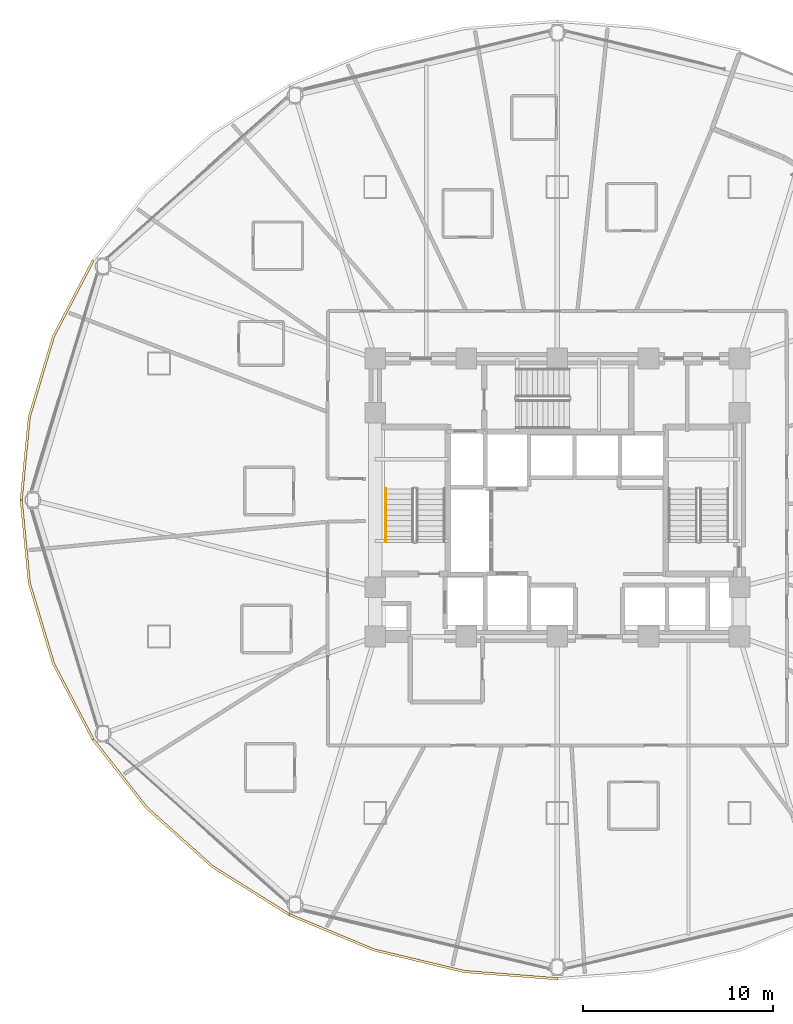
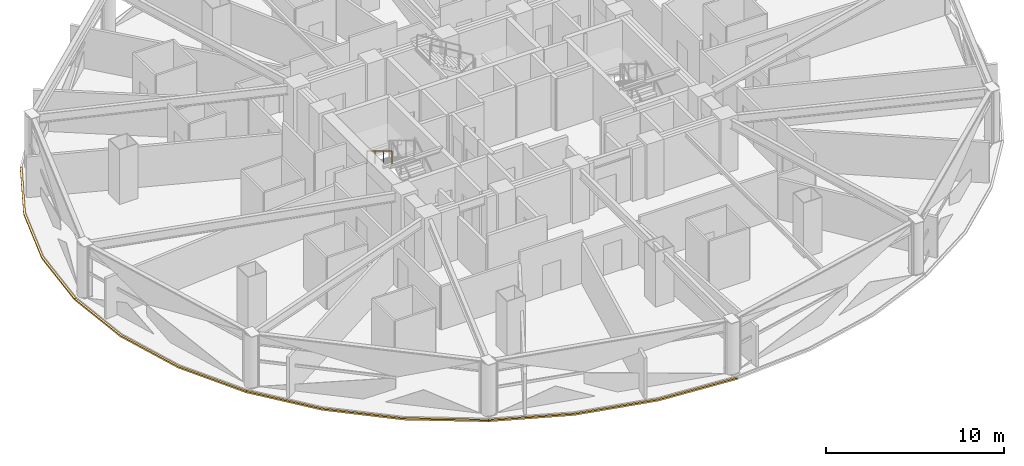
# One storey, part 29 of 33: 4 coverings, 1 railing.
"""IFC4 building model written with IfcOpenShell, lengths in metres."""

from ifc_helpers import new_model, si_unit, direction, frame, origin, origin_2d, place, context, subcontext, project, spatial, polyline, rectangle, outline, extrude, material, layer, layer_set, type_object, element, save


model = new_model("IFC4")

# Units and contexts
model_context = context("Model", 3, precision=1e-05, world=origin(), true_north=direction((0.0, 1.0)))
body_context = subcontext(model_context, "Body", "Model", "MODEL_VIEW")
ifc_project = project(units=[si_unit("LENGTHUNIT", "METRE"), si_unit("AREAUNIT", "SQUARE_METRE"), si_unit("VOLUMEUNIT", "CUBIC_METRE"), si_unit("PLANEANGLEUNIT", "RADIAN"), si_unit("MASSUNIT", "GRAM", prefix="KILO")], contexts=[model_context])

# Site, building, storey
site_placement = place(None, origin())
site = spatial("IfcSite", under=ifc_project, at=site_placement, CompositionType="ELEMENT")
building_placement = place(site_placement, origin())
building = spatial("IfcBuilding", under=site, at=building_placement, Name="Vantalir Tower", CompositionType="ELEMENT")
storey_placement = place(building_placement, frame((0.0, 0.0, 68.25)))
storey = spatial("IfcBuildingStorey", under=building, at=storey_placement, Name="L16", CompositionType="ELEMENT", Elevation=68.25)

# Coverings
ifc_material_1 = material(Name="Anodised champagne aluminium sill fascia", Category="aluminium")
ifc_layer = layer(ifc_material_1, 0.125)
ifc_layer_set = layer_set([ifc_layer], Name="Anodised champagne aluminium sill fascia")
covering_type = type_object("IfcCoveringType", Name="COV-SLAB-FASCIA-125", PredefinedType="CLADDING", material=ifc_layer_set)
covering_1_placement = place(storey_placement, frame((0.0, 0.0, -0.179931640625)))
element("IfcCovering", 1, at=covering_1_placement, inside=storey, type_object=covering_type, Name="L16 Perimeter Slab-Edge Sill Fascia 06", PredefinedType="CLADDING", context=body_context, shape_type="SweptSolid", body=[
    extrude(outline(polyline([(6.969970703125, 37.652099609375), (4.883056640625, 33.654052734375), (3.60498046875, 29.39404296875), (3.175048828125, 25.0), (3.300048828125, 25.0), (3.72802734375, 29.3720703125), (5.0009765625, 33.612060546875), (7.077880859375, 37.589111328125), (6.969970703125, 37.652099609375)])), origin(), (0.0, 0.0, 1.0), 0.10498046875),
])
covering_2_placement = place(storey_placement, frame((0.0, 0.0, -0.179931640625)))
element("IfcCovering", 2, at=covering_2_placement, inside=storey, type_object=covering_type, Name="L16 Perimeter Slab-Edge Sill Fascia 07", PredefinedType="CLADDING", context=body_context, shape_type="SweptSolid", body=[
    extrude(outline(polyline([(3.175048828125, 25.0), (3.60498046875, 20.60595703125), (4.883056640625, 16.345947265625), (6.969970703125, 12.347900390625), (7.077880859375, 12.409912109375), (5.0009765625, 16.387939453125), (3.72802734375, 20.6279296875), (3.300048828125, 25.0), (3.175048828125, 25.0)])), origin(), (0.0, 0.0, 1.0), 0.10498046875),
])
covering_3_placement = place(storey_placement, frame((0.0, 0.0, -0.179931640625)))
element("IfcCovering", 3, at=covering_3_placement, inside=storey, type_object=covering_type, Name="L16 Perimeter Slab-Edge Sill Fascia 08", PredefinedType="CLADDING", context=body_context, shape_type="SweptSolid", body=[
    extrude(outline(polyline([(6.969970703125, 12.347900390625), (9.802001953125, 8.735107421875), (13.29296875, 5.615966796875), (17.3369140625, 3.0859375), (17.39990234375, 3.194091796875), (13.373046875, 5.7119140625), (9.89794921875, 8.81494140625), (7.077880859375, 12.409912109375), (6.969970703125, 12.347900390625)])), origin(), (0.0, 0.0, 1.0), 0.10498046875),
])
covering_4_placement = place(storey_placement, frame((0.0, 0.0, -0.179931640625)))
element("IfcCovering", 4, at=covering_4_placement, inside=storey, type_object=covering_type, Name="L16 Perimeter Slab-Edge Sill Fascia 09", PredefinedType="CLADDING", context=body_context, shape_type="SweptSolid", body=[
    extrude(outline(polyline([(17.3369140625, 3.0859375), (21.81201171875, 1.221923828125), (26.5810546875, 0.080078125), (31.5, -0.303955078125), (31.5, -0.178955078125), (26.60302734375, 0.2041015625), (21.85498046875, 1.339111328125), (17.39990234375, 3.194091796875), (17.3369140625, 3.0859375)])), origin(), (0.0, 0.0, 1.0), 0.10498046875),
])

# Railing
ifc_material_2 = material(Name="Brushed stainless steel tubular handrail", Category="steel")
railing_type = type_object("IfcRailingType", Name="RAL-HANDRAIL-900", PredefinedType="HANDRAIL", material=ifc_material_2)
railing_placement = place(storey_placement, frame((22.449951171875, 25.590087890625, 2.04541015625)))
element("IfcRailing", 5, at=railing_placement, inside=storey, type_object=railing_type, Name="L16 ST1 stair handrail 2", PredefinedType="HANDRAIL", context=body_context, shape_type="SweptSolid", body=[
    extrude(rectangle(XDim=0.048095703125, YDim=0.048095703125, at=origin_2d()), frame((0.0, 0.0, 0.8759765625), z_axis=(0.0, -0.854169791009, 0.51999420009), x_axis=(1.0, 0.0, 0.0)), (0.0, 0.0, 1.0), 3.278076171875),
    extrude(rectangle(XDim=0.0419921875, YDim=0.0419921875, at=origin_2d()), origin(), (0.0, 0.0, 1.0), 0.851806640625),
    extrude(rectangle(XDim=0.0419921875, YDim=0.0419921875, at=origin_2d()), frame((0.0, -0.933349609375, 0.568115234375)), (0.0, 0.0, 1.0), 0.851806640625),
    extrude(rectangle(XDim=0.0419921875, YDim=0.0419921875, at=origin_2d()), frame((0.0, -1.86669921875, 1.136474609375)), (0.0, 0.0, 1.0), 0.851806640625),
    extrude(rectangle(XDim=0.0419921875, YDim=0.0419921875, at=origin_2d()), frame((0.0, -2.800048828125, 1.70458984375)), (0.0, 0.0, 1.0), 0.851806640625),
])

save(model, "model.ifc")
